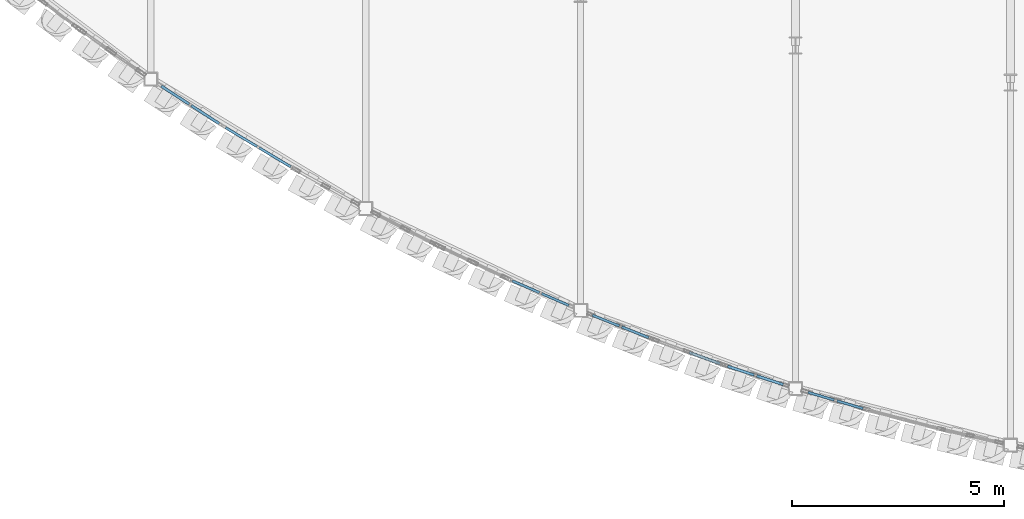
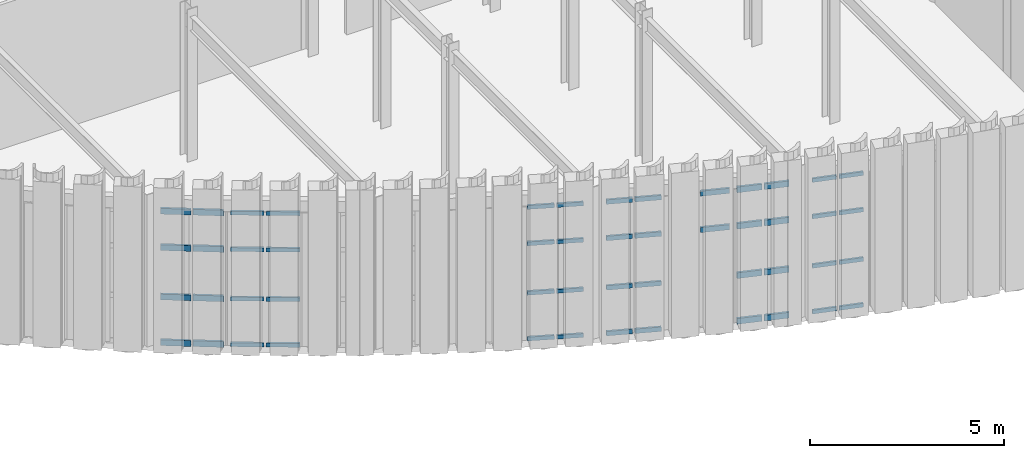
# One storey, part 72 of 126: 50 members, 7 elements without a shape of their own.
"""IFC4 building model written with IfcOpenShell, lengths in metres."""

from ifc_helpers import new_model, si_unit, direction, frame, origin, origin_2d, place, context, subcontext, project, spatial, hollow_rectangle, extrude, material, layer, layer_set, material_profile, profile_set, type_object, element, aggregate, save


model = new_model("IFC4")

# Units and contexts
model_context = context("Model", 3, precision=1e-05, world=origin(), true_north=direction((0.0, 1.0)))
body_context = subcontext(model_context, "Body", "Model", "MODEL_VIEW")
ifc_project = project(units=[si_unit("LENGTHUNIT", "METRE"), si_unit("AREAUNIT", "SQUARE_METRE"), si_unit("VOLUMEUNIT", "CUBIC_METRE"), si_unit("PLANEANGLEUNIT", "RADIAN"), si_unit("MASSUNIT", "GRAM", prefix="KILO")], contexts=[model_context])

# Site, building, storey
site_placement = place(None, origin())
site = spatial("IfcSite", under=ifc_project, at=site_placement, CompositionType="ELEMENT")
building_placement = place(site_placement, origin())
building = spatial("IfcBuilding", under=site, at=building_placement, Name="Solvadek Multi-Sports Hall", CompositionType="ELEMENT")
storey_placement = place(building_placement, frame((0.0, 0.0, 9.60009765625)))
storey = spatial("IfcBuildingStorey", under=building, at=storey_placement, Name="L02", CompositionType="ELEMENT", Elevation=9.60009765625)

# Curtain wall, members
ifc_material = material(Name="Anodised aluminium", Category="aluminium")
ifc_layer_1 = layer(ifc_material, 0.159912109375, Name="Anodised aluminium")
ifc_layer_set_1 = layer_set([ifc_layer_1], Name="Anodised aluminium")
curtain_wall_type_1 = type_object("IfcCurtainWallType", Name="ENV-CW-191X420", PredefinedType="USERDEFINED", material=ifc_layer_set_1)
curtain_wall_1_placement = place(storey_placement, origin())
curtain_wall_1 = element("IfcCurtainWall", 1, at=curtain_wall_1_placement, inside=storey, type_object=curtain_wall_type_1, Name="L02 Crescent Curved Curtain Wall #28", ObjectType="CURTAIN WALL", PredefinedType="USERDEFINED")
ifc_material_profile_1 = material_profile(ifc_material, hollow_rectangle(XDim=0.06005859375, YDim=0.1201171875, WallThickness=0.00390625, at=origin_2d()), Name="ALU-T 120x60x4")
ifc_profile_set_1 = profile_set([ifc_material_profile_1], Name="Anodised aluminium")
member_type_1 = type_object("IfcMemberType", Name="ENV-CWT-01", PredefinedType="USERDEFINED", material=ifc_profile_set_1)
member_1_placement = place(storey_placement, frame((48.4609375, -4.41845703125, 0.02978515625), z_axis=(0.857168687415, -0.515035767026, 0.0), x_axis=(0.515035767026, 0.857168687415, 0.0)))
member_1 = element("IfcMember", 2, at=member_1_placement, type_object=member_type_1, Name="CW-13 transom 1.1", ObjectType="TRANSOM", PredefinedType="USERDEFINED", context=body_context, shape_type="SweptSolid", body=[
    extrude(hollow_rectangle(XDim=0.06005859375, YDim=0.1201171875, WallThickness=0.00390625, at=origin_2d()), origin(), (0.0, 0.0, 1.0), 0.8642578125),
])
member_2_placement = place(storey_placement, frame((48.4609375, -4.41845703125, 1.469970703125), z_axis=(0.857168687415, -0.515035767026, 0.0), x_axis=(0.515035767026, 0.857168687415, 0.0)))
member_2 = element("IfcMember", 3, at=member_2_placement, type_object=member_type_1, Name="CW-13 transom 1.2", ObjectType="TRANSOM", PredefinedType="USERDEFINED", context=body_context, shape_type="SweptSolid", body=[
    extrude(hollow_rectangle(XDim=0.06005859375, YDim=0.1201171875, WallThickness=0.00390625, at=origin_2d()), origin(), (0.0, 0.0, 1.0), 0.8642578125),
])
member_3_placement = place(storey_placement, frame((48.4609375, -4.41845703125, 3.02392578125), z_axis=(0.857168687415, -0.515035767026, 0.0), x_axis=(0.515035767026, 0.857168687415, 0.0)))
member_3 = element("IfcMember", 4, at=member_3_placement, type_object=member_type_1, Name="CW-13 transom 1.3", ObjectType="TRANSOM", PredefinedType="USERDEFINED", context=body_context, shape_type="SweptSolid", body=[
    extrude(hollow_rectangle(XDim=0.06005859375, YDim=0.1201171875, WallThickness=0.00390625, at=origin_2d()), origin(), (0.0, 0.0, 1.0), 0.8642578125),
])
member_4_placement = place(storey_placement, frame((48.4609375, -4.41845703125, 4.169921875), z_axis=(0.857168687415, -0.515035767026, 0.0), x_axis=(0.515035767026, 0.857168687415, 0.0)))
member_4 = element("IfcMember", 5, at=member_4_placement, type_object=member_type_1, Name="CW-13 transom 1.4", ObjectType="TRANSOM", PredefinedType="USERDEFINED", context=body_context, shape_type="SweptSolid", body=[
    extrude(hollow_rectangle(XDim=0.06005859375, YDim=0.1201171875, WallThickness=0.00390625, at=origin_2d()), origin(), (0.0, 0.0, 1.0), 0.8642578125),
])
member_5_placement = place(storey_placement, frame((49.2529296875, -4.894287109375, 0.02978515625), z_axis=(0.857168687415, -0.515035767026, 0.0), x_axis=(0.515035767026, 0.857168687415, 0.0)))
member_5 = element("IfcMember", 6, at=member_5_placement, type_object=member_type_1, Name="CW-13 transom 2.1", ObjectType="TRANSOM", PredefinedType="USERDEFINED", context=body_context, shape_type="SweptSolid", body=[
    extrude(hollow_rectangle(XDim=0.06005859375, YDim=0.1201171875, WallThickness=0.00390625, at=origin_2d()), origin(), (0.0, 0.0, 1.0), 0.8642578125),
])
member_6_placement = place(storey_placement, frame((49.2529296875, -4.894287109375, 1.469970703125), z_axis=(0.857168687415, -0.515035767026, 0.0), x_axis=(0.515035767026, 0.857168687415, 0.0)))
member_6 = element("IfcMember", 7, at=member_6_placement, type_object=member_type_1, Name="CW-13 transom 2.2", ObjectType="TRANSOM", PredefinedType="USERDEFINED", context=body_context, shape_type="SweptSolid", body=[
    extrude(hollow_rectangle(XDim=0.06005859375, YDim=0.1201171875, WallThickness=0.00390625, at=origin_2d()), origin(), (0.0, 0.0, 1.0), 0.8642578125),
])
member_7_placement = place(storey_placement, frame((49.2529296875, -4.894287109375, 3.02392578125), z_axis=(0.857168687415, -0.515035767026, 0.0), x_axis=(0.515035767026, 0.857168687415, 0.0)))
member_7 = element("IfcMember", 8, at=member_7_placement, type_object=member_type_1, Name="CW-13 transom 2.3", ObjectType="TRANSOM", PredefinedType="USERDEFINED", context=body_context, shape_type="SweptSolid", body=[
    extrude(hollow_rectangle(XDim=0.06005859375, YDim=0.1201171875, WallThickness=0.00390625, at=origin_2d()), origin(), (0.0, 0.0, 1.0), 0.8642578125),
])
member_8_placement = place(storey_placement, frame((49.2529296875, -4.894287109375, 4.169921875), z_axis=(0.857168687415, -0.515035767026, 0.0), x_axis=(0.515035767026, 0.857168687415, 0.0)))
member_8 = element("IfcMember", 9, at=member_8_placement, type_object=member_type_1, Name="CW-13 transom 2.4", ObjectType="TRANSOM", PredefinedType="USERDEFINED", context=body_context, shape_type="SweptSolid", body=[
    extrude(hollow_rectangle(XDim=0.06005859375, YDim=0.1201171875, WallThickness=0.00390625, at=origin_2d()), origin(), (0.0, 0.0, 1.0), 0.8642578125),
])
aggregate(curtain_wall_1, [member_1, member_2, member_3, member_4, member_5, member_6, member_7, member_8])

ifc_layer_2 = layer(ifc_material, 0.159912109375, Name="Anodised aluminium")
ifc_layer_set_2 = layer_set([ifc_layer_2], Name="Anodised aluminium")
curtain_wall_type_2 = type_object("IfcCurtainWallType", Name="ENV-CW-157X420", PredefinedType="USERDEFINED", material=ifc_layer_set_2)
curtain_wall_2_placement = place(storey_placement, origin())
curtain_wall_2 = element("IfcCurtainWall", 10, at=curtain_wall_2_placement, inside=storey, type_object=curtain_wall_type_2, Name="L02 Crescent Curved Curtain Wall #36", ObjectType="CURTAIN WALL", PredefinedType="USERDEFINED")
member_9_placement = place(storey_placement, frame((55.2138671875, -8.02587890625, 0.02978515625), z_axis=(0.916857620984, -0.39921435701, 0.0), x_axis=(0.39921435701, 0.916857620984, 0.0)))
member_9 = element("IfcMember", 11, at=member_9_placement, type_object=member_type_1, Name="CW-17 transom 1.1", ObjectType="TRANSOM", PredefinedType="USERDEFINED", context=body_context, shape_type="SweptSolid", body=[
    extrude(hollow_rectangle(XDim=0.06005859375, YDim=0.1201171875, WallThickness=0.00390625, at=origin_2d()), origin(), (0.0, 0.0, 1.0), 0.69482421875),
])
member_10_placement = place(storey_placement, frame((55.2138671875, -8.02587890625, 1.469970703125), z_axis=(0.916857620984, -0.39921435701, 0.0), x_axis=(0.39921435701, 0.916857620984, 0.0)))
member_10 = element("IfcMember", 12, at=member_10_placement, type_object=member_type_1, Name="CW-17 transom 1.2", ObjectType="TRANSOM", PredefinedType="USERDEFINED", context=body_context, shape_type="SweptSolid", body=[
    extrude(hollow_rectangle(XDim=0.06005859375, YDim=0.1201171875, WallThickness=0.00390625, at=origin_2d()), origin(), (0.0, 0.0, 1.0), 0.69482421875),
])
member_11_placement = place(storey_placement, frame((55.2138671875, -8.02587890625, 3.02392578125), z_axis=(0.916857620984, -0.39921435701, 0.0), x_axis=(0.39921435701, 0.916857620984, 0.0)))
member_11 = element("IfcMember", 13, at=member_11_placement, type_object=member_type_1, Name="CW-17 transom 1.3", ObjectType="TRANSOM", PredefinedType="USERDEFINED", context=body_context, shape_type="SweptSolid", body=[
    extrude(hollow_rectangle(XDim=0.06005859375, YDim=0.1201171875, WallThickness=0.00390625, at=origin_2d()), origin(), (0.0, 0.0, 1.0), 0.69482421875),
])
member_12_placement = place(storey_placement, frame((55.2138671875, -8.02587890625, 4.169921875), z_axis=(0.916857620984, -0.39921435701, 0.0), x_axis=(0.39921435701, 0.916857620984, 0.0)))
member_12 = element("IfcMember", 14, at=member_12_placement, type_object=member_type_1, Name="CW-17 transom 1.4", ObjectType="TRANSOM", PredefinedType="USERDEFINED", context=body_context, shape_type="SweptSolid", body=[
    extrude(hollow_rectangle(XDim=0.06005859375, YDim=0.1201171875, WallThickness=0.00390625, at=origin_2d()), origin(), (0.0, 0.0, 1.0), 0.69482421875),
])
member_13_placement = place(storey_placement, frame((55.906005859375, -8.3271484375, 0.02978515625), z_axis=(0.916857620984, -0.39921435701, 0.0), x_axis=(0.39921435701, 0.916857620984, 0.0)))
member_13 = element("IfcMember", 15, at=member_13_placement, type_object=member_type_1, Name="CW-17 transom 2.1", ObjectType="TRANSOM", PredefinedType="USERDEFINED", context=body_context, shape_type="SweptSolid", body=[
    extrude(hollow_rectangle(XDim=0.06005859375, YDim=0.1201171875, WallThickness=0.00390625, at=origin_2d()), origin(), (0.0, 0.0, 1.0), 0.69482421875),
])
member_14_placement = place(storey_placement, frame((55.906005859375, -8.3271484375, 1.469970703125), z_axis=(0.916857620984, -0.39921435701, 0.0), x_axis=(0.39921435701, 0.916857620984, 0.0)))
member_14 = element("IfcMember", 16, at=member_14_placement, type_object=member_type_1, Name="CW-17 transom 2.2", ObjectType="TRANSOM", PredefinedType="USERDEFINED", context=body_context, shape_type="SweptSolid", body=[
    extrude(hollow_rectangle(XDim=0.06005859375, YDim=0.1201171875, WallThickness=0.00390625, at=origin_2d()), origin(), (0.0, 0.0, 1.0), 0.69482421875),
])
member_15_placement = place(storey_placement, frame((55.906005859375, -8.3271484375, 3.02392578125), z_axis=(0.916857620984, -0.39921435701, 0.0), x_axis=(0.39921435701, 0.916857620984, 0.0)))
member_15 = element("IfcMember", 17, at=member_15_placement, type_object=member_type_1, Name="CW-17 transom 2.3", ObjectType="TRANSOM", PredefinedType="USERDEFINED", context=body_context, shape_type="SweptSolid", body=[
    extrude(hollow_rectangle(XDim=0.06005859375, YDim=0.1201171875, WallThickness=0.00390625, at=origin_2d()), origin(), (0.0, 0.0, 1.0), 0.69482421875),
])
member_16_placement = place(storey_placement, frame((55.906005859375, -8.3271484375, 4.169921875), z_axis=(0.916857620984, -0.39921435701, 0.0), x_axis=(0.39921435701, 0.916857620984, 0.0)))
member_16 = element("IfcMember", 18, at=member_16_placement, type_object=member_type_1, Name="CW-17 transom 2.4", ObjectType="TRANSOM", PredefinedType="USERDEFINED", context=body_context, shape_type="SweptSolid", body=[
    extrude(hollow_rectangle(XDim=0.06005859375, YDim=0.1201171875, WallThickness=0.00390625, at=origin_2d()), origin(), (0.0, 0.0, 1.0), 0.69482421875),
])
aggregate(curtain_wall_2, [member_9, member_10, member_11, member_12, member_13, member_14, member_15, member_16])

ifc_layer_3 = layer(ifc_material, 0.159912109375, Name="Anodised aluminium")
ifc_layer_set_3 = layer_set([ifc_layer_3], Name="Anodised aluminium")
curtain_wall_type_3 = type_object("IfcCurtainWallType", Name="ENV-CW-149X420", PredefinedType="USERDEFINED", material=ifc_layer_set_3)
curtain_wall_3_placement = place(storey_placement, origin())
curtain_wall_3 = element("IfcCurtainWall", 19, at=curtain_wall_3_placement, inside=storey, type_object=curtain_wall_type_3, Name="L02 Crescent Curved Curtain Wall #44", ObjectType="CURTAIN WALL", PredefinedType="USERDEFINED")
member_17_placement = place(storey_placement, frame((62.176025390625, -10.650634765625, 0.02978515625), z_axis=(0.959140237062, -0.282931096999, 0.0), x_axis=(0.282931096999, 0.959140237062, 0.0)))
member_17 = element("IfcMember", 20, at=member_17_placement, type_object=member_type_1, Name="CW-21 transom 1.1", ObjectType="TRANSOM", PredefinedType="USERDEFINED", context=body_context, shape_type="SweptSolid", body=[
    extrude(hollow_rectangle(XDim=0.06005859375, YDim=0.1201171875, WallThickness=0.00390625, at=origin_2d()), origin(), (0.0, 0.0, 1.0), 0.639404296875),
])
member_18_placement = place(storey_placement, frame((62.176025390625, -10.650634765625, 1.469970703125), z_axis=(0.959140237062, -0.282931096999, 0.0), x_axis=(0.282931096999, 0.959140237062, 0.0)))
member_18 = element("IfcMember", 21, at=member_18_placement, type_object=member_type_1, Name="CW-21 transom 1.2", ObjectType="TRANSOM", PredefinedType="USERDEFINED", context=body_context, shape_type="SweptSolid", body=[
    extrude(hollow_rectangle(XDim=0.06005859375, YDim=0.1201171875, WallThickness=0.00390625, at=origin_2d()), origin(), (0.0, 0.0, 1.0), 0.639404296875),
])
member_19_placement = place(storey_placement, frame((62.176025390625, -10.650634765625, 3.02392578125), z_axis=(0.959140237062, -0.282931096999, 0.0), x_axis=(0.282931096999, 0.959140237062, 0.0)))
member_19 = element("IfcMember", 22, at=member_19_placement, type_object=member_type_1, Name="CW-21 transom 1.3", ObjectType="TRANSOM", PredefinedType="USERDEFINED", context=body_context, shape_type="SweptSolid", body=[
    extrude(hollow_rectangle(XDim=0.06005859375, YDim=0.1201171875, WallThickness=0.00390625, at=origin_2d()), origin(), (0.0, 0.0, 1.0), 0.639404296875),
])
member_20_placement = place(storey_placement, frame((62.176025390625, -10.650634765625, 4.169921875), z_axis=(0.959140237062, -0.282931096999, 0.0), x_axis=(0.282931096999, 0.959140237062, 0.0)))
member_20 = element("IfcMember", 23, at=member_20_placement, type_object=member_type_1, Name="CW-21 transom 1.4", ObjectType="TRANSOM", PredefinedType="USERDEFINED", context=body_context, shape_type="SweptSolid", body=[
    extrude(hollow_rectangle(XDim=0.06005859375, YDim=0.1201171875, WallThickness=0.00390625, at=origin_2d()), origin(), (0.0, 0.0, 1.0), 0.639404296875),
])
member_21_placement = place(storey_placement, frame((62.8564453125, -10.851318359375, 0.02978515625), z_axis=(0.959036568326, -0.283282298447, 0.0), x_axis=(0.283282298447, 0.959036568326, 0.0)))
member_21 = element("IfcMember", 24, at=member_21_placement, type_object=member_type_1, Name="CW-21 transom 2.1", ObjectType="TRANSOM", PredefinedType="USERDEFINED", context=body_context, shape_type="SweptSolid", body=[
    extrude(hollow_rectangle(XDim=0.06005859375, YDim=0.1201171875, WallThickness=0.00390625, at=origin_2d()), origin(), (0.0, 0.0, 1.0), 0.639404296875),
])
member_22_placement = place(storey_placement, frame((62.8564453125, -10.851318359375, 1.469970703125), z_axis=(0.959036568326, -0.283282298447, 0.0), x_axis=(0.283282298447, 0.959036568326, 0.0)))
member_22 = element("IfcMember", 25, at=member_22_placement, type_object=member_type_1, Name="CW-21 transom 2.2", ObjectType="TRANSOM", PredefinedType="USERDEFINED", context=body_context, shape_type="SweptSolid", body=[
    extrude(hollow_rectangle(XDim=0.06005859375, YDim=0.1201171875, WallThickness=0.00390625, at=origin_2d()), origin(), (0.0, 0.0, 1.0), 0.639404296875),
])
member_23_placement = place(storey_placement, frame((62.8564453125, -10.851318359375, 3.02392578125), z_axis=(0.959036568326, -0.283282298447, 0.0), x_axis=(0.283282298447, 0.959036568326, 0.0)))
member_23 = element("IfcMember", 26, at=member_23_placement, type_object=member_type_1, Name="CW-21 transom 2.3", ObjectType="TRANSOM", PredefinedType="USERDEFINED", context=body_context, shape_type="SweptSolid", body=[
    extrude(hollow_rectangle(XDim=0.06005859375, YDim=0.1201171875, WallThickness=0.00390625, at=origin_2d()), origin(), (0.0, 0.0, 1.0), 0.639404296875),
])
member_24_placement = place(storey_placement, frame((62.8564453125, -10.851318359375, 4.169921875), z_axis=(0.959036568326, -0.283282298447, 0.0), x_axis=(0.283282298447, 0.959036568326, 0.0)))
member_24 = element("IfcMember", 27, at=member_24_placement, type_object=member_type_1, Name="CW-21 transom 2.4", ObjectType="TRANSOM", PredefinedType="USERDEFINED", context=body_context, shape_type="SweptSolid", body=[
    extrude(hollow_rectangle(XDim=0.06005859375, YDim=0.1201171875, WallThickness=0.00390625, at=origin_2d()), origin(), (0.0, 0.0, 1.0), 0.639404296875),
])
aggregate(curtain_wall_3, [member_17, member_18, member_19, member_20, member_21, member_22, member_23, member_24])

ifc_layer_4 = layer(ifc_material, 0.159912109375, Name="Anodised aluminium")
ifc_layer_set_4 = layer_set([ifc_layer_4], Name="Anodised aluminium")
curtain_wall_type_4 = type_object("IfcCurtainWallType", Name="ENV-CW-155X420", PredefinedType="USERDEFINED", material=ifc_layer_set_4)
curtain_wall_4_placement = place(storey_placement, origin())
curtain_wall_4 = element("IfcCurtainWall", 28, at=curtain_wall_4_placement, inside=storey, type_object=curtain_wall_type_4, Name="L02 Crescent Curved Curtain Wall #38", ObjectType="CURTAIN WALL", PredefinedType="USERDEFINED")
ifc_material_profile_2 = material_profile(ifc_material, hollow_rectangle(XDim=0.06005859375, YDim=0.139892578125, WallThickness=0.00390625, at=origin_2d()), Name="ALU-T 140x60x4")
ifc_profile_set_2 = profile_set([ifc_material_profile_2], Name="Anodised aluminium")
member_type_2 = type_object("IfcMemberType", Name="ENV-CWT-02", PredefinedType="USERDEFINED", material=ifc_profile_set_2)
member_25_placement = place(storey_placement, frame((57.096923828125, -8.835205078125, 0.02978515625), z_axis=(0.929042616815, -0.36997272351, 0.0), x_axis=(0.36997272351, 0.929042616815, 0.0)))
member_25 = element("IfcMember", 29, at=member_25_placement, type_object=member_type_2, Name="CW-18 transom 1.1", ObjectType="TRANSOM", PredefinedType="USERDEFINED", context=body_context, shape_type="SweptSolid", body=[
    extrude(hollow_rectangle(XDim=0.06005859375, YDim=0.139892578125, WallThickness=0.00390625, at=origin_2d()), origin(), (0.0, 0.0, 1.0), 0.68310546875),
])
member_26_placement = place(storey_placement, frame((57.096923828125, -8.835205078125, 1.469970703125), z_axis=(0.929042616815, -0.36997272351, 0.0), x_axis=(0.36997272351, 0.929042616815, 0.0)))
member_26 = element("IfcMember", 30, at=member_26_placement, type_object=member_type_2, Name="CW-18 transom 1.2", ObjectType="TRANSOM", PredefinedType="USERDEFINED", context=body_context, shape_type="SweptSolid", body=[
    extrude(hollow_rectangle(XDim=0.06005859375, YDim=0.139892578125, WallThickness=0.00390625, at=origin_2d()), origin(), (0.0, 0.0, 1.0), 0.68310546875),
])
member_27_placement = place(storey_placement, frame((57.096923828125, -8.835205078125, 3.02392578125), z_axis=(0.929042616815, -0.36997272351, 0.0), x_axis=(0.36997272351, 0.929042616815, 0.0)))
member_27 = element("IfcMember", 31, at=member_27_placement, type_object=member_type_2, Name="CW-18 transom 1.3", ObjectType="TRANSOM", PredefinedType="USERDEFINED", context=body_context, shape_type="SweptSolid", body=[
    extrude(hollow_rectangle(XDim=0.06005859375, YDim=0.139892578125, WallThickness=0.00390625, at=origin_2d()), origin(), (0.0, 0.0, 1.0), 0.68310546875),
])
member_28_placement = place(storey_placement, frame((57.096923828125, -8.835205078125, 4.169921875), z_axis=(0.929042616815, -0.36997272351, 0.0), x_axis=(0.36997272351, 0.929042616815, 0.0)))
member_28 = element("IfcMember", 32, at=member_28_placement, type_object=member_type_2, Name="CW-18 transom 1.4", ObjectType="TRANSOM", PredefinedType="USERDEFINED", context=body_context, shape_type="SweptSolid", body=[
    extrude(hollow_rectangle(XDim=0.06005859375, YDim=0.139892578125, WallThickness=0.00390625, at=origin_2d()), origin(), (0.0, 0.0, 1.0), 0.68310546875),
])
member_29_placement = place(storey_placement, frame((57.787109375, -9.110107421875, 0.02978515625), z_axis=(0.928870686177, -0.37040416893, 0.0), x_axis=(0.37040416893, 0.928870686177, 0.0)))
member_29 = element("IfcMember", 33, at=member_29_placement, type_object=member_type_2, Name="CW-18 transom 2.1", ObjectType="TRANSOM", PredefinedType="USERDEFINED", context=body_context, shape_type="SweptSolid", body=[
    extrude(hollow_rectangle(XDim=0.06005859375, YDim=0.139892578125, WallThickness=0.00390625, at=origin_2d()), origin(), (0.0, 0.0, 1.0), 0.682861328125),
])
member_30_placement = place(storey_placement, frame((57.787109375, -9.110107421875, 1.469970703125), z_axis=(0.928870686177, -0.37040416893, 0.0), x_axis=(0.37040416893, 0.928870686177, 0.0)))
member_30 = element("IfcMember", 34, at=member_30_placement, type_object=member_type_2, Name="CW-18 transom 2.2", ObjectType="TRANSOM", PredefinedType="USERDEFINED", context=body_context, shape_type="SweptSolid", body=[
    extrude(hollow_rectangle(XDim=0.06005859375, YDim=0.139892578125, WallThickness=0.00390625, at=origin_2d()), origin(), (0.0, 0.0, 1.0), 0.682861328125),
])
member_31_placement = place(storey_placement, frame((57.787109375, -9.110107421875, 3.02392578125), z_axis=(0.928870686177, -0.37040416893, 0.0), x_axis=(0.37040416893, 0.928870686177, 0.0)))
member_31 = element("IfcMember", 35, at=member_31_placement, type_object=member_type_2, Name="CW-18 transom 2.3", ObjectType="TRANSOM", PredefinedType="USERDEFINED", context=body_context, shape_type="SweptSolid", body=[
    extrude(hollow_rectangle(XDim=0.06005859375, YDim=0.139892578125, WallThickness=0.00390625, at=origin_2d()), origin(), (0.0, 0.0, 1.0), 0.682861328125),
])
member_32_placement = place(storey_placement, frame((57.787109375, -9.110107421875, 4.169921875), z_axis=(0.928870686177, -0.37040416893, 0.0), x_axis=(0.37040416893, 0.928870686177, 0.0)))
member_32 = element("IfcMember", 36, at=member_32_placement, type_object=member_type_2, Name="CW-18 transom 2.4", ObjectType="TRANSOM", PredefinedType="USERDEFINED", context=body_context, shape_type="SweptSolid", body=[
    extrude(hollow_rectangle(XDim=0.06005859375, YDim=0.139892578125, WallThickness=0.00390625, at=origin_2d()), origin(), (0.0, 0.0, 1.0), 0.682861328125),
])
aggregate(curtain_wall_4, [member_25, member_26, member_27, member_28, member_29, member_30, member_31, member_32])

ifc_layer_5 = layer(ifc_material, 0.159912109375, Name="Anodised aluminium")
ifc_layer_set_5 = layer_set([ifc_layer_5], Name="Anodised aluminium")
curtain_wall_type_5 = type_object("IfcCurtainWallType", Name="ENV-CW-173X420", PredefinedType="USERDEFINED", material=ifc_layer_set_5)
curtain_wall_5_placement = place(storey_placement, origin())
curtain_wall_5 = element("IfcCurtainWall", 37, at=curtain_wall_5_placement, inside=storey, type_object=curtain_wall_type_5, Name="L02 Crescent Curved Curtain Wall #40", ObjectType="CURTAIN WALL", PredefinedType="USERDEFINED")
ifc_material_profile_3 = material_profile(ifc_material, hollow_rectangle(XDim=0.06494140625, YDim=0.159912109375, WallThickness=0.00390625, at=origin_2d()), Name="ALU-T 160x65x4")
ifc_profile_set_3 = profile_set([ifc_material_profile_3], Name="Anodised aluminium")
member_type_3 = type_object("IfcMemberType", Name="ENV-CWT-03", PredefinedType="USERDEFINED", material=ifc_profile_set_3)
member_33_placement = place(storey_placement, frame((59.379150390625, -9.71337890625, 3.02392578125), z_axis=(0.939941528436, -0.341335499358, 0.0), x_axis=(0.341335499358, 0.939941528436, 0.0)))
member_33 = element("IfcMember", 38, at=member_33_placement, type_object=member_type_3, Name="CW-19 transom 2.3", ObjectType="TRANSOM", PredefinedType="USERDEFINED", context=body_context, shape_type="SweptSolid", body=[
    extrude(hollow_rectangle(XDim=0.06494140625, YDim=0.159912109375, WallThickness=0.00390625, at=origin_2d()), origin(), (0.0, 0.0, 1.0), 0.76953125),
])
member_34_placement = place(storey_placement, frame((59.379150390625, -9.71337890625, 4.16748046875), z_axis=(0.939941528436, -0.341335499358, 0.0), x_axis=(0.341335499358, 0.939941528436, 0.0)))
member_34 = element("IfcMember", 39, at=member_34_placement, type_object=member_type_3, Name="CW-19 transom 2.4", ObjectType="TRANSOM", PredefinedType="USERDEFINED", context=body_context, shape_type="SweptSolid", body=[
    extrude(hollow_rectangle(XDim=0.06494140625, YDim=0.159912109375, WallThickness=0.00390625, at=origin_2d()), origin(), (0.0, 0.0, 1.0), 0.76953125),
])
aggregate(curtain_wall_5, [member_33, member_34])

ifc_layer_6 = layer(ifc_material, 0.159912109375, Name="Anodised aluminium")
ifc_layer_set_6 = layer_set([ifc_layer_6], Name="Anodised aluminium")
curtain_wall_type_6 = type_object("IfcCurtainWallType", Name="ENV-CW-174X420", PredefinedType="USERDEFINED", material=ifc_layer_set_6)
curtain_wall_6_placement = place(storey_placement, origin())
curtain_wall_6 = element("IfcCurtainWall", 40, at=curtain_wall_6_placement, inside=storey, type_object=curtain_wall_type_6, Name="L02 Crescent Curved Curtain Wall #26", ObjectType="CURTAIN WALL", PredefinedType="USERDEFINED")
ifc_material_profile_4 = material_profile(ifc_material, hollow_rectangle(XDim=0.06494140625, YDim=0.179931640625, WallThickness=0.0048828125, at=origin_2d()), Name="ALU-T 180x65x5")
ifc_profile_set_4 = profile_set([ifc_material_profile_4], Name="Anodised aluminium")
member_type_4 = type_object("IfcMemberType", Name="ENV-CWT-04", PredefinedType="USERDEFINED", material=ifc_profile_set_4)
member_35_placement = place(storey_placement, frame((46.94873046875, -3.441650390625, 0.032470703125), z_axis=(0.839108012663, -0.543964836258, 0.0), x_axis=(0.543964836258, 0.839108012663, 0.0)))
member_35 = element("IfcMember", 41, at=member_35_placement, type_object=member_type_4, Name="CW-12 transom 1.1", ObjectType="TRANSOM", PredefinedType="USERDEFINED", context=body_context, shape_type="SweptSolid", body=[
    extrude(hollow_rectangle(XDim=0.06494140625, YDim=0.179931640625, WallThickness=0.0048828125, at=origin_2d()), origin(), (0.0, 0.0, 1.0), 0.780029296875),
])
member_36_placement = place(storey_placement, frame((46.94873046875, -3.441650390625, 1.469970703125), z_axis=(0.839108012663, -0.543964836258, 0.0), x_axis=(0.543964836258, 0.839108012663, 0.0)))
member_36 = element("IfcMember", 42, at=member_36_placement, type_object=member_type_4, Name="CW-12 transom 1.2", ObjectType="TRANSOM", PredefinedType="USERDEFINED", context=body_context, shape_type="SweptSolid", body=[
    extrude(hollow_rectangle(XDim=0.06494140625, YDim=0.179931640625, WallThickness=0.0048828125, at=origin_2d()), origin(), (0.0, 0.0, 1.0), 0.780029296875),
])
member_37_placement = place(storey_placement, frame((46.94873046875, -3.441650390625, 3.02392578125), z_axis=(0.839108012663, -0.543964836258, 0.0), x_axis=(0.543964836258, 0.839108012663, 0.0)))
member_37 = element("IfcMember", 43, at=member_37_placement, type_object=member_type_4, Name="CW-12 transom 1.3", ObjectType="TRANSOM", PredefinedType="USERDEFINED", context=body_context, shape_type="SweptSolid", body=[
    extrude(hollow_rectangle(XDim=0.06494140625, YDim=0.179931640625, WallThickness=0.0048828125, at=origin_2d()), origin(), (0.0, 0.0, 1.0), 0.780029296875),
])
member_38_placement = place(storey_placement, frame((46.94873046875, -3.441650390625, 4.16748046875), z_axis=(0.839108012663, -0.543964836258, 0.0), x_axis=(0.543964836258, 0.839108012663, 0.0)))
member_38 = element("IfcMember", 44, at=member_38_placement, type_object=member_type_4, Name="CW-12 transom 1.4", ObjectType="TRANSOM", PredefinedType="USERDEFINED", context=body_context, shape_type="SweptSolid", body=[
    extrude(hollow_rectangle(XDim=0.06494140625, YDim=0.179931640625, WallThickness=0.0048828125, at=origin_2d()), origin(), (0.0, 0.0, 1.0), 0.780029296875),
])
member_39_placement = place(storey_placement, frame((47.65380859375, -3.898681640625, 0.032470703125), z_axis=(0.838965148353, -0.544185152177, 0.0), x_axis=(0.544185152177, 0.838965148353, 0.0)))
member_39 = element("IfcMember", 45, at=member_39_placement, type_object=member_type_4, Name="CW-12 transom 2.1", ObjectType="TRANSOM", PredefinedType="USERDEFINED", context=body_context, shape_type="SweptSolid", body=[
    extrude(hollow_rectangle(XDim=0.06494140625, YDim=0.179931640625, WallThickness=0.0048828125, at=origin_2d()), origin(), (0.0, 0.0, 1.0), 0.7802734375),
])
member_40_placement = place(storey_placement, frame((47.65380859375, -3.898681640625, 1.469970703125), z_axis=(0.838965148353, -0.544185152177, 0.0), x_axis=(0.544185152177, 0.838965148353, 0.0)))
member_40 = element("IfcMember", 46, at=member_40_placement, type_object=member_type_4, Name="CW-12 transom 2.2", ObjectType="TRANSOM", PredefinedType="USERDEFINED", context=body_context, shape_type="SweptSolid", body=[
    extrude(hollow_rectangle(XDim=0.06494140625, YDim=0.179931640625, WallThickness=0.0048828125, at=origin_2d()), origin(), (0.0, 0.0, 1.0), 0.7802734375),
])
member_41_placement = place(storey_placement, frame((47.65380859375, -3.898681640625, 3.02392578125), z_axis=(0.838965148353, -0.544185152177, 0.0), x_axis=(0.544185152177, 0.838965148353, 0.0)))
member_41 = element("IfcMember", 47, at=member_41_placement, type_object=member_type_4, Name="CW-12 transom 2.3", ObjectType="TRANSOM", PredefinedType="USERDEFINED", context=body_context, shape_type="SweptSolid", body=[
    extrude(hollow_rectangle(XDim=0.06494140625, YDim=0.179931640625, WallThickness=0.0048828125, at=origin_2d()), origin(), (0.0, 0.0, 1.0), 0.7802734375),
])
member_42_placement = place(storey_placement, frame((47.65380859375, -3.898681640625, 4.16748046875), z_axis=(0.838965148353, -0.544185152177, 0.0), x_axis=(0.544185152177, 0.838965148353, 0.0)))
member_42 = element("IfcMember", 48, at=member_42_placement, type_object=member_type_4, Name="CW-12 transom 2.4", ObjectType="TRANSOM", PredefinedType="USERDEFINED", context=body_context, shape_type="SweptSolid", body=[
    extrude(hollow_rectangle(XDim=0.06494140625, YDim=0.179931640625, WallThickness=0.0048828125, at=origin_2d()), origin(), (0.0, 0.0, 1.0), 0.7802734375),
])
aggregate(curtain_wall_6, [member_35, member_36, member_37, member_38, member_39, member_40, member_41, member_42])

ifc_layer_7 = layer(ifc_material, 0.159912109375, Name="Anodised aluminium")
ifc_layer_set_7 = layer_set([ifc_layer_7], Name="Anodised aluminium")
curtain_wall_type_7 = type_object("IfcCurtainWallType", Name="ENV-CW-151X420", PredefinedType="USERDEFINED", material=ifc_layer_set_7)
curtain_wall_7_placement = place(storey_placement, origin())
curtain_wall_7 = element("IfcCurtainWall", 49, at=curtain_wall_7_placement, inside=storey, type_object=curtain_wall_type_7, Name="L02 Crescent Curved Curtain Wall #42", ObjectType="CURTAIN WALL", PredefinedType="USERDEFINED")
member_43_placement = place(storey_placement, frame((60.2822265625, -10.0380859375, 0.032470703125), z_axis=(0.950015964493, -0.312201324802, 0.0), x_axis=(0.312201324802, 0.950015964493, 0.0)))
member_43 = element("IfcMember", 50, at=member_43_placement, type_object=member_type_4, Name="CW-20 transom 1.1", ObjectType="TRANSOM", PredefinedType="USERDEFINED", context=body_context, shape_type="SweptSolid", body=[
    extrude(hollow_rectangle(XDim=0.06494140625, YDim=0.179931640625, WallThickness=0.0048828125, at=origin_2d()), origin(), (0.0, 0.0, 1.0), 0.6552734375),
])
member_44_placement = place(storey_placement, frame((60.2822265625, -10.0380859375, 1.469970703125), z_axis=(0.950015964493, -0.312201324802, 0.0), x_axis=(0.312201324802, 0.950015964493, 0.0)))
member_44 = element("IfcMember", 51, at=member_44_placement, type_object=member_type_4, Name="CW-20 transom 1.2", ObjectType="TRANSOM", PredefinedType="USERDEFINED", context=body_context, shape_type="SweptSolid", body=[
    extrude(hollow_rectangle(XDim=0.06494140625, YDim=0.179931640625, WallThickness=0.0048828125, at=origin_2d()), origin(), (0.0, 0.0, 1.0), 0.6552734375),
])
member_45_placement = place(storey_placement, frame((60.2822265625, -10.0380859375, 3.02392578125), z_axis=(0.950015964493, -0.312201324802, 0.0), x_axis=(0.312201324802, 0.950015964493, 0.0)))
member_45 = element("IfcMember", 52, at=member_45_placement, type_object=member_type_4, Name="CW-20 transom 1.3", ObjectType="TRANSOM", PredefinedType="USERDEFINED", context=body_context, shape_type="SweptSolid", body=[
    extrude(hollow_rectangle(XDim=0.06494140625, YDim=0.179931640625, WallThickness=0.0048828125, at=origin_2d()), origin(), (0.0, 0.0, 1.0), 0.6552734375),
])
member_46_placement = place(storey_placement, frame((60.2822265625, -10.0380859375, 4.16748046875), z_axis=(0.950015964493, -0.312201324802, 0.0), x_axis=(0.312201324802, 0.950015964493, 0.0)))
member_46 = element("IfcMember", 53, at=member_46_placement, type_object=member_type_4, Name="CW-20 transom 1.4", ObjectType="TRANSOM", PredefinedType="USERDEFINED", context=body_context, shape_type="SweptSolid", body=[
    extrude(hollow_rectangle(XDim=0.06494140625, YDim=0.179931640625, WallThickness=0.0048828125, at=origin_2d()), origin(), (0.0, 0.0, 1.0), 0.6552734375),
])
member_47_placement = place(storey_placement, frame((60.966552734375, -10.262939453125, 0.032470703125), z_axis=(0.950015964493, -0.312201324802, 0.0), x_axis=(0.312201324802, 0.950015964493, 0.0)))
member_47 = element("IfcMember", 54, at=member_47_placement, type_object=member_type_4, Name="CW-20 transom 2.1", ObjectType="TRANSOM", PredefinedType="USERDEFINED", context=body_context, shape_type="SweptSolid", body=[
    extrude(hollow_rectangle(XDim=0.06494140625, YDim=0.179931640625, WallThickness=0.0048828125, at=origin_2d()), origin(), (0.0, 0.0, 1.0), 0.6552734375),
])
member_48_placement = place(storey_placement, frame((60.966552734375, -10.262939453125, 1.469970703125), z_axis=(0.950015964493, -0.312201324802, 0.0), x_axis=(0.312201324802, 0.950015964493, 0.0)))
member_48 = element("IfcMember", 55, at=member_48_placement, type_object=member_type_4, Name="CW-20 transom 2.2", ObjectType="TRANSOM", PredefinedType="USERDEFINED", context=body_context, shape_type="SweptSolid", body=[
    extrude(hollow_rectangle(XDim=0.06494140625, YDim=0.179931640625, WallThickness=0.0048828125, at=origin_2d()), origin(), (0.0, 0.0, 1.0), 0.6552734375),
])
member_49_placement = place(storey_placement, frame((60.966552734375, -10.262939453125, 3.02392578125), z_axis=(0.950015964493, -0.312201324802, 0.0), x_axis=(0.312201324802, 0.950015964493, 0.0)))
member_49 = element("IfcMember", 56, at=member_49_placement, type_object=member_type_4, Name="CW-20 transom 2.3", ObjectType="TRANSOM", PredefinedType="USERDEFINED", context=body_context, shape_type="SweptSolid", body=[
    extrude(hollow_rectangle(XDim=0.06494140625, YDim=0.179931640625, WallThickness=0.0048828125, at=origin_2d()), origin(), (0.0, 0.0, 1.0), 0.6552734375),
])
member_50_placement = place(storey_placement, frame((60.966552734375, -10.262939453125, 4.16748046875), z_axis=(0.950015964493, -0.312201324802, 0.0), x_axis=(0.312201324802, 0.950015964493, 0.0)))
member_50 = element("IfcMember", 57, at=member_50_placement, type_object=member_type_4, Name="CW-20 transom 2.4", ObjectType="TRANSOM", PredefinedType="USERDEFINED", context=body_context, shape_type="SweptSolid", body=[
    extrude(hollow_rectangle(XDim=0.06494140625, YDim=0.179931640625, WallThickness=0.0048828125, at=origin_2d()), origin(), (0.0, 0.0, 1.0), 0.6552734375),
])
aggregate(curtain_wall_7, [member_43, member_44, member_45, member_46, member_47, member_48, member_49, member_50])

save(model, "model.ifc")
